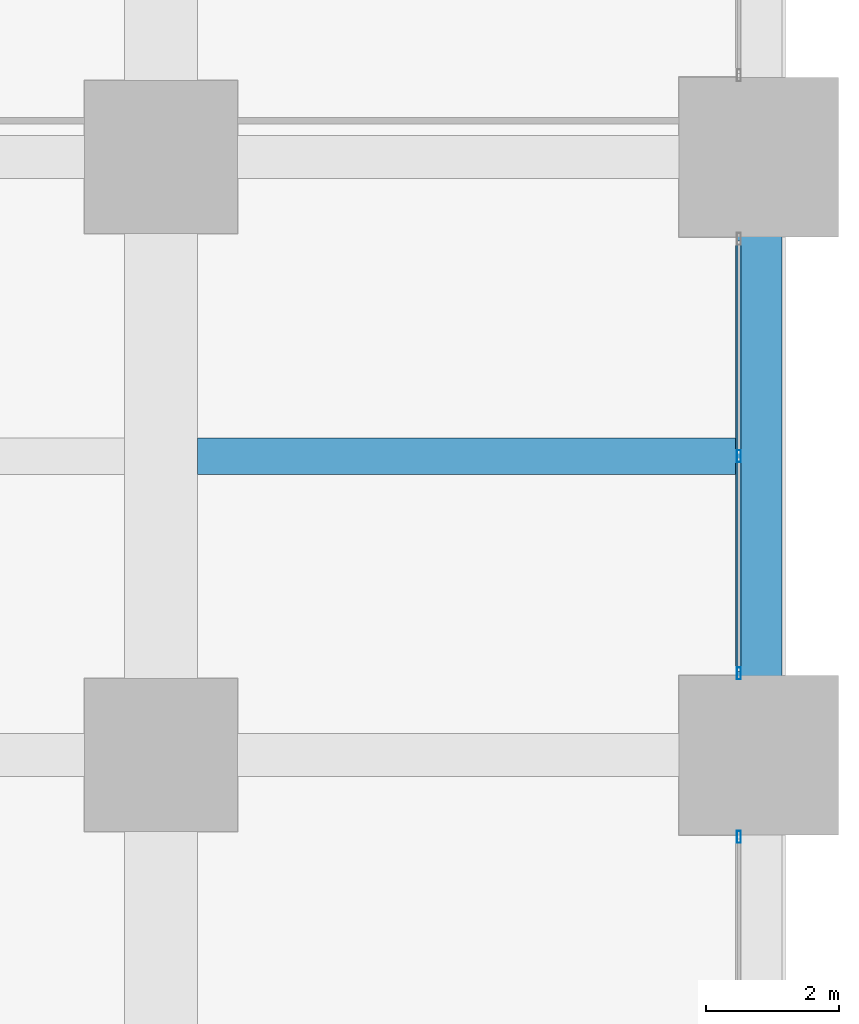
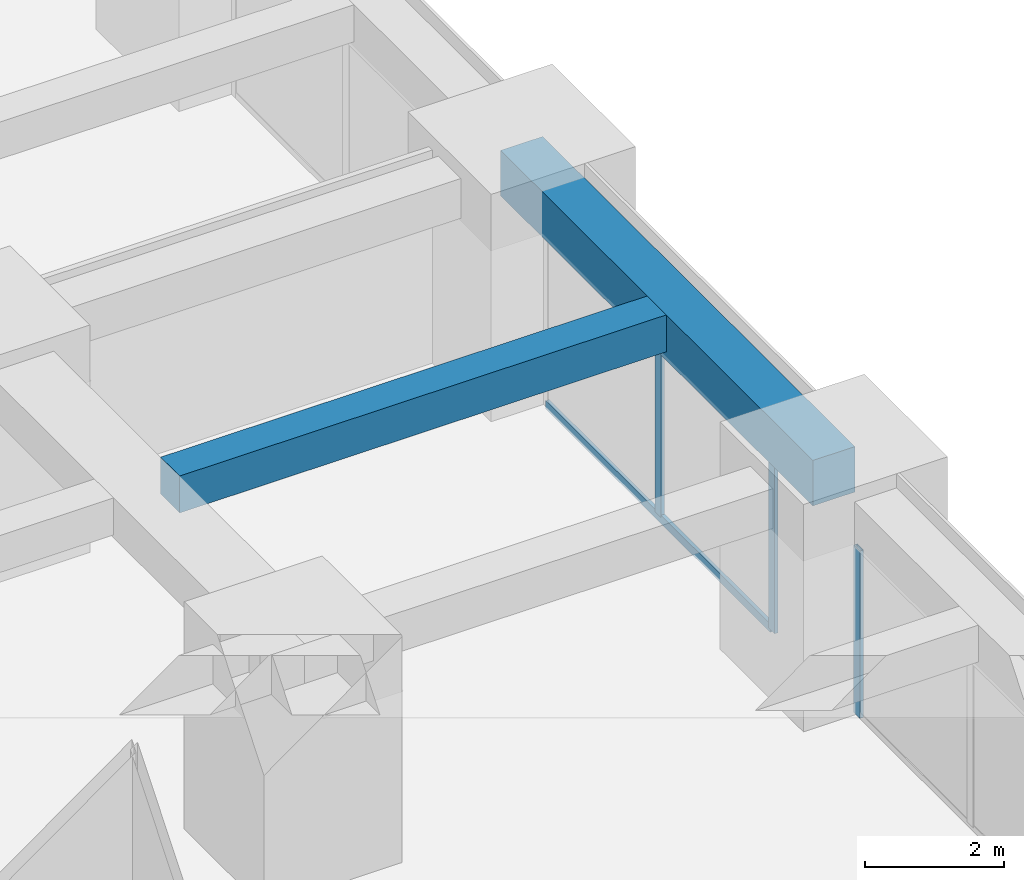
# One storey, part 22 of 44: 4 members, 2 beams, 2 elements without a shape of their own.
"""IFC4 building model written with IfcOpenShell, lengths in metres."""

from ifc_helpers import new_model, si_unit, direction, frame, origin, origin_2d, place, context, subcontext, project, spatial, rectangle, hollow_rectangle, extrude, material, material_profile, profile_set, type_object, element, aggregate, save


model = new_model("IFC4")

# Units and contexts
model_context = context("Model", 3, precision=1e-05, world=origin(), true_north=direction((0.0, 1.0)))
body_context = subcontext(model_context, "Body", "Model", "MODEL_VIEW")
ifc_project = project(units=[si_unit("LENGTHUNIT", "METRE"), si_unit("AREAUNIT", "SQUARE_METRE"), si_unit("VOLUMEUNIT", "CUBIC_METRE"), si_unit("PLANEANGLEUNIT", "RADIAN"), si_unit("MASSUNIT", "GRAM", prefix="KILO")], contexts=[model_context])

# Site, building, storey
site_placement = place(None, origin())
site = spatial("IfcSite", under=ifc_project, at=site_placement, CompositionType="ELEMENT")
building_placement = place(site_placement, origin())
building = spatial("IfcBuilding", under=site, at=building_placement, Name="Zorevar Civic Tower", CompositionType="ELEMENT")
storey_placement = place(building_placement, frame((0.0, 0.0, 31.800048828125)))
storey = spatial("IfcBuildingStorey", under=building, at=storey_placement, Name="L07", CompositionType="ELEMENT", Elevation=31.800048828125)

# Beam
ifc_material_1 = material(Name="Concrete C50/60", Category="concrete")
ifc_material_profile_1 = material_profile(ifc_material_1, rectangle(XDim=0.550048828125, YDim=0.64990234375, at=origin_2d()), Name="RC 550x650")
ifc_profile_set_1 = profile_set([ifc_material_profile_1], Name="Concrete C50/60")
beam_type_1 = type_object("IfcBeamType", Name="Beam RC 550x650", PredefinedType="BEAM", material=ifc_profile_set_1)
beam_1_placement = place(storey_placement, frame((54.550048828125, 31.5, 3.425048828125), z_axis=(1.0, 0.0, 0.0), x_axis=(0.0, 1.0, 0.0)))
element("IfcBeam", 1, at=beam_1_placement, inside=storey, type_object=beam_type_1, Name="Secondary beam L08", PredefinedType="BEAM", context=body_context, shape_type="SweptSolid", body=[
    extrude(rectangle(XDim=0.550048828125, YDim=0.64990234375, at=origin_2d()), origin(), (0.0, 0.0, 1.0), 8.099853515625),
])

# Curtain wall, member
ifc_material_2 = material(Name="Dark grey solar-control glass in black aluminium frame", Category="aluminium")
curtain_wall_type = type_object("IfcCurtainWallType", Name="Curtain wall CW2 low zone", PredefinedType="NOTDEFINED", material=ifc_material_2)
curtain_wall_1_placement = place(storey_placement, origin())
curtain_wall_1 = element("IfcCurtainWall", 2, at=curtain_wall_1_placement, inside=storey, type_object=curtain_wall_type, Name="CW2 L07", PredefinedType="NOTDEFINED")
ifc_material_3 = material(Name="Aluminium, black anodised", Category="aluminium")
ifc_material_profile_2 = material_profile(ifc_material_3, hollow_rectangle(XDim=0.06005859375, YDim=0.179931640625, WallThickness=0.00390625, at=origin_2d()), Name="AL 180x60x4")
ifc_profile_set_2 = profile_set([ifc_material_profile_2], Name="Aluminium, black anodised")
member_type_1 = type_object("IfcMemberType", Name="CW2 mullion AL 180x60x4", PredefinedType="MULLION", material=ifc_profile_set_2)
member_1_placement = place(storey_placement, frame((62.699951171875, 25.77001953125, 0.0), z_axis=(0.0, 0.0, 1.0), x_axis=(-1.0, 0.0, 0.0)))
member_1 = element("IfcMember", 3, at=member_1_placement, type_object=member_type_1, Name="CW2 mullion 3", PredefinedType="MULLION", context=body_context, shape_type="SweptSolid", body=[
    extrude(hollow_rectangle(XDim=0.06005859375, YDim=0.179931640625, WallThickness=0.00390625, at=origin_2d()), origin(), (0.0, 0.0, 1.0), 2.949951171875),
])
aggregate(curtain_wall_1, [member_1])

# Curtain wall, members
curtain_wall_2_placement = place(storey_placement, origin())
curtain_wall_2 = element("IfcCurtainWall", 4, at=curtain_wall_2_placement, inside=storey, type_object=curtain_wall_type, Name="CW2 L07", PredefinedType="NOTDEFINED")
member_2_placement = place(storey_placement, frame((62.699951171875, 28.22998046875, 0.0), z_axis=(0.0, 0.0, 1.0), x_axis=(-1.0, 0.0, 0.0)))
member_2 = element("IfcMember", 5, at=member_2_placement, type_object=member_type_1, Name="CW2 mullion 1", PredefinedType="MULLION", context=body_context, shape_type="SweptSolid", body=[
    extrude(hollow_rectangle(XDim=0.06005859375, YDim=0.179931640625, WallThickness=0.00390625, at=origin_2d()), origin(), (0.0, 0.0, 1.0), 2.949951171875),
])
member_3_placement = place(storey_placement, frame((62.699951171875, 31.5, 0.06005859375), z_axis=(0.0, 0.0, 1.0), x_axis=(-1.0, 0.0, 0.0)))
member_3 = element("IfcMember", 6, at=member_3_placement, type_object=member_type_1, Name="CW2 mullion 2", PredefinedType="MULLION", context=body_context, shape_type="SweptSolid", body=[
    extrude(hollow_rectangle(XDim=0.06005859375, YDim=0.179931640625, WallThickness=0.00390625, at=origin_2d()), origin(), (0.0, 0.0, 1.0), 2.889892578125),
])
ifc_material_4 = material(Name="Aluminium, black anodised", Category="aluminium")
ifc_material_profile_3 = material_profile(ifc_material_4, hollow_rectangle(XDim=0.06005859375, YDim=0.14990234375, WallThickness=0.00390625, at=origin_2d()), Name="AL 150x60x4")
ifc_profile_set_3 = profile_set([ifc_material_profile_3], Name="Aluminium, black anodised")
member_type_2 = type_object("IfcMemberType", Name="CW2 transom AL 150x60x4", PredefinedType="USERDEFINED", material=ifc_profile_set_3)
member_4_placement = place(storey_placement, frame((62.699951171875, 28.260009765625, 0.030029296875), z_axis=(0.0, 1.0, 0.0), x_axis=(-1.0, 0.0, 0.0)))
member_4 = element("IfcMember", 7, at=member_4_placement, type_object=member_type_2, Name="CW2 sill transom", ObjectType="TRANSOM", PredefinedType="USERDEFINED", context=body_context, shape_type="SweptSolid", body=[
    extrude(hollow_rectangle(XDim=0.06005859375, YDim=0.14990234375, WallThickness=0.00390625, at=origin_2d()), origin(), (0.0, 0.0, 1.0), 6.47998046875),
])
aggregate(curtain_wall_2, [member_2, member_3, member_4])

# Beam
ifc_material_5 = material(Name="Concrete C50/60", Category="concrete")
ifc_material_profile_4 = material_profile(ifc_material_5, rectangle(XDim=0.699951171875, YDim=0.800048828125, at=origin_2d()), Name="RC 700x800")
ifc_profile_set_4 = profile_set([ifc_material_profile_4], Name="Concrete C50/60")
beam_type_2 = type_object("IfcBeamType", Name="Edge beam RC 700x800", PredefinedType="SPANDREL", material=ifc_profile_set_4)
beam_2_placement = place(storey_placement, frame((63.0, 27.0, 3.349853515625), z_axis=(0.0, 1.0, 0.0), x_axis=(-1.0, 0.0, 0.0)))
element("IfcBeam", 8, at=beam_2_placement, inside=storey, type_object=beam_type_2, Name="Edge beam L08", PredefinedType="SPANDREL", context=body_context, shape_type="SweptSolid", body=[
    extrude(rectangle(XDim=0.699951171875, YDim=0.800048828125, at=origin_2d()), origin(), (0.0, 0.0, 1.0), 9.0),
])

save(model, "model.ifc")
